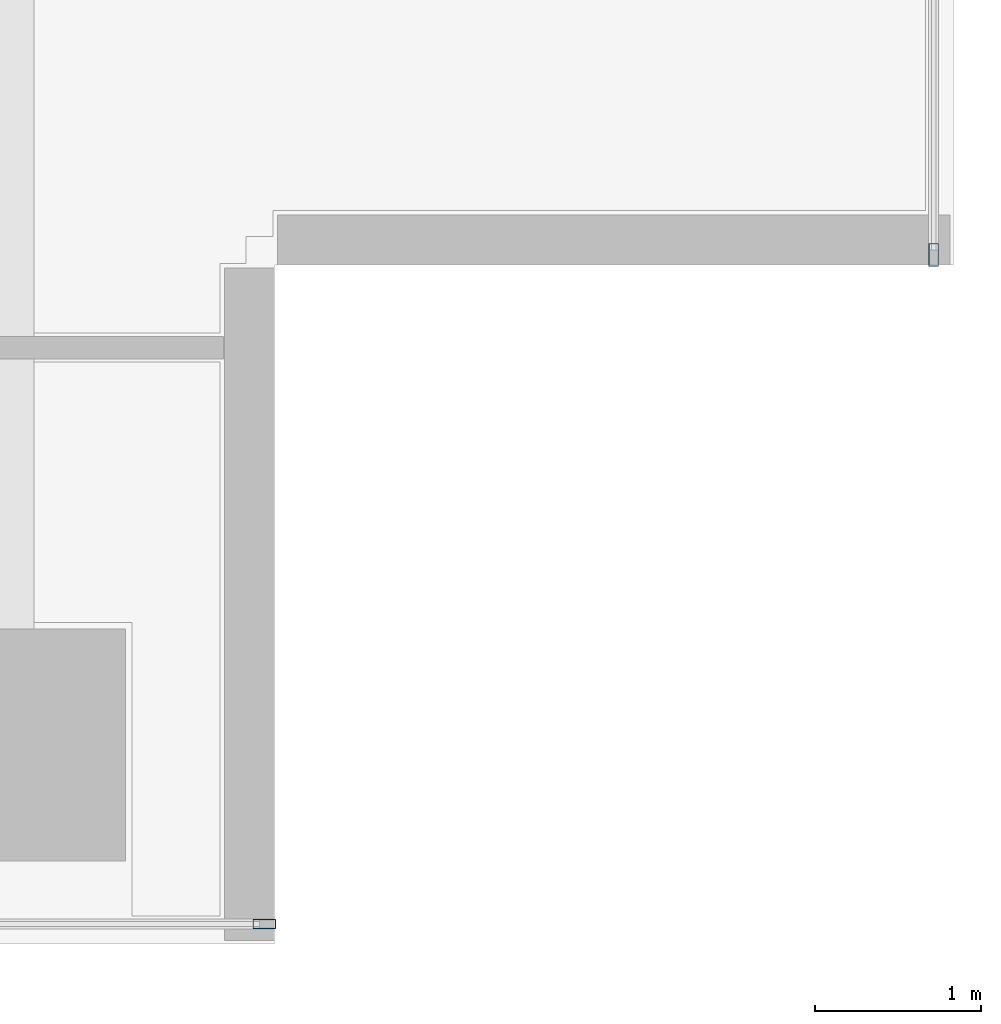
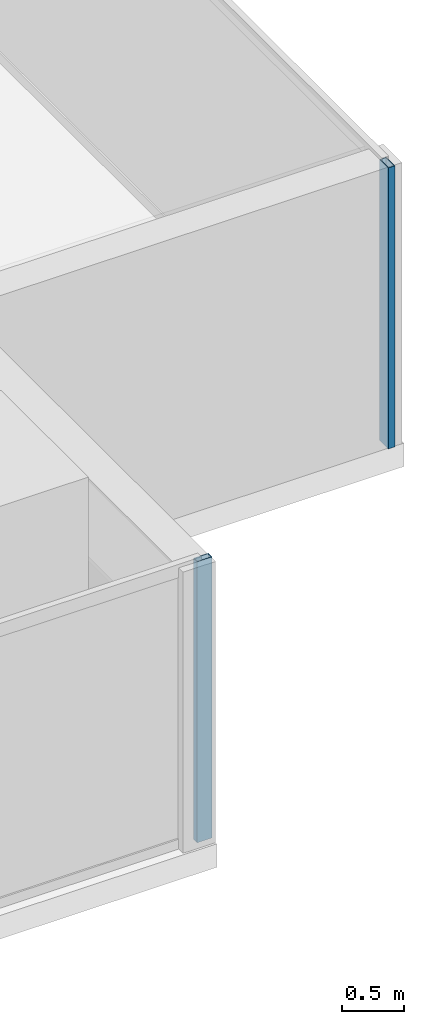
# One storey, part 11 of 26: 2 members, 2 elements without a shape of their own.
"""IFC4 building model written with IfcOpenShell, lengths in metres."""

from ifc_helpers import new_model, si_unit, direction, frame, origin, origin_2d, place, context, subcontext, project, spatial, hollow_rectangle, extrude, source, transform, mapped, material, layer, layer_set, material_profile, profile_set, type_object, element, aggregate, save


model = new_model("IFC4")

# Units and contexts
model_context = context("Model", 3, precision=1e-05, world=origin(), true_north=direction((0.0, 1.0)))
body_context = subcontext(model_context, "Body", "Model", "MODEL_VIEW")
ifc_project = project(units=[si_unit("LENGTHUNIT", "METRE"), si_unit("AREAUNIT", "SQUARE_METRE"), si_unit("VOLUMEUNIT", "CUBIC_METRE"), si_unit("PLANEANGLEUNIT", "RADIAN"), si_unit("MASSUNIT", "GRAM", prefix="KILO")], contexts=[model_context])

# Site, building, storey
site_placement = place(None, origin())
site = spatial("IfcSite", under=ifc_project, at=site_placement, CompositionType="ELEMENT")
building_placement = place(site_placement, origin())
building = spatial("IfcBuilding", under=site, at=building_placement, Name="Sumidabori Civic Tower", CompositionType="ELEMENT")
storey_placement = place(building_placement, frame((0.0, 0.0, 236.0)))
storey = spatial("IfcBuildingStorey", under=building, at=storey_placement, Name="L61", CompositionType="ELEMENT", Elevation=236.0)

# Curtain wall, member
ifc_material = material(Name="Anodised Bronze Aluminium AW-6063-T6", Category="aluminium")
ifc_layer = layer(ifc_material, 0.179931640625, Name="Anodised Bronze Aluminium AW-6063-T6")
ifc_layer_set = layer_set([ifc_layer], Name="Anodised Bronze Aluminium AW-6063-T6")
curtain_wall_type = type_object("IfcCurtainWallType", Name="CW-SYS-5", PredefinedType="NOTDEFINED", material=ifc_layer_set)
curtain_wall_1_placement = place(storey_placement, origin())
curtain_wall_1 = element("IfcCurtainWall", 1, at=curtain_wall_1_placement, inside=storey, type_object=curtain_wall_type, Name="Curtain Wall CW:L61:R01", PredefinedType="NOTDEFINED")
ifc_material_profile = material_profile(ifc_material, hollow_rectangle(XDim=0.06005859375, YDim=0.139892578125, WallThickness=0.0048828125, at=origin_2d()), Name="ALU MULLION 140x60")
ifc_profile_set = profile_set([ifc_material_profile], Name="Anodised Bronze Aluminium AW-6063-T6")
member_type = type_object("IfcMemberType", Name="CW-MUL-140", PredefinedType="MULLION", material=ifc_profile_set)
shared_shape = source(origin(), body_context, "Body", "SweptSolid", [
    extrude(hollow_rectangle(XDim=0.06005859375, YDim=0.139892578125, WallThickness=0.0048828125, at=origin_2d()), origin(), (0.0, 0.0, 1.0), 2.75),
])
member_1_placement = place(storey_placement, frame((18.340087890625, -11.8798828125, 0.0), z_axis=(0.0, 0.0, 1.0), x_axis=(0.0, 1.0, 0.0)))
member_1 = element("IfcMember", 2, at=member_1_placement, type_object=member_type, Name="CW-5 mullion 5", PredefinedType="MULLION", context=body_context, shape_type="MappedRepresentation", body=[
    mapped(shared_shape, transform((0.0, 0.0, 0.0), x_axis=(1.0, 0.0, 0.0), y_axis=(0.0, 1.0, 0.0), z_axis=(0.0, 0.0, 1.0), scale=1.0)),
])
aggregate(curtain_wall_1, [member_1])

curtain_wall_2_placement = place(storey_placement, origin())
curtain_wall_2 = element("IfcCurtainWall", 3, at=curtain_wall_2_placement, inside=storey, type_object=curtain_wall_type, Name="Curtain Wall CW:L61:R04", PredefinedType="NOTDEFINED")
member_2_placement = place(storey_placement, frame((22.3798828125, -7.840087890625, 0.0), z_axis=(0.0, 0.0, 1.0), x_axis=(-1.0, 0.0, 0.0)))
member_2 = element("IfcMember", 4, at=member_2_placement, type_object=member_type, Name="CW-5 mullion 1", PredefinedType="MULLION", context=body_context, shape_type="MappedRepresentation", body=[
    mapped(shared_shape, transform((0.0, 0.0, 0.0), x_axis=(1.0, 0.0, 0.0), y_axis=(0.0, 1.0, 0.0), z_axis=(0.0, 0.0, 1.0), scale=1.0)),
])
aggregate(curtain_wall_2, [member_2])

save(model, "model.ifc")
